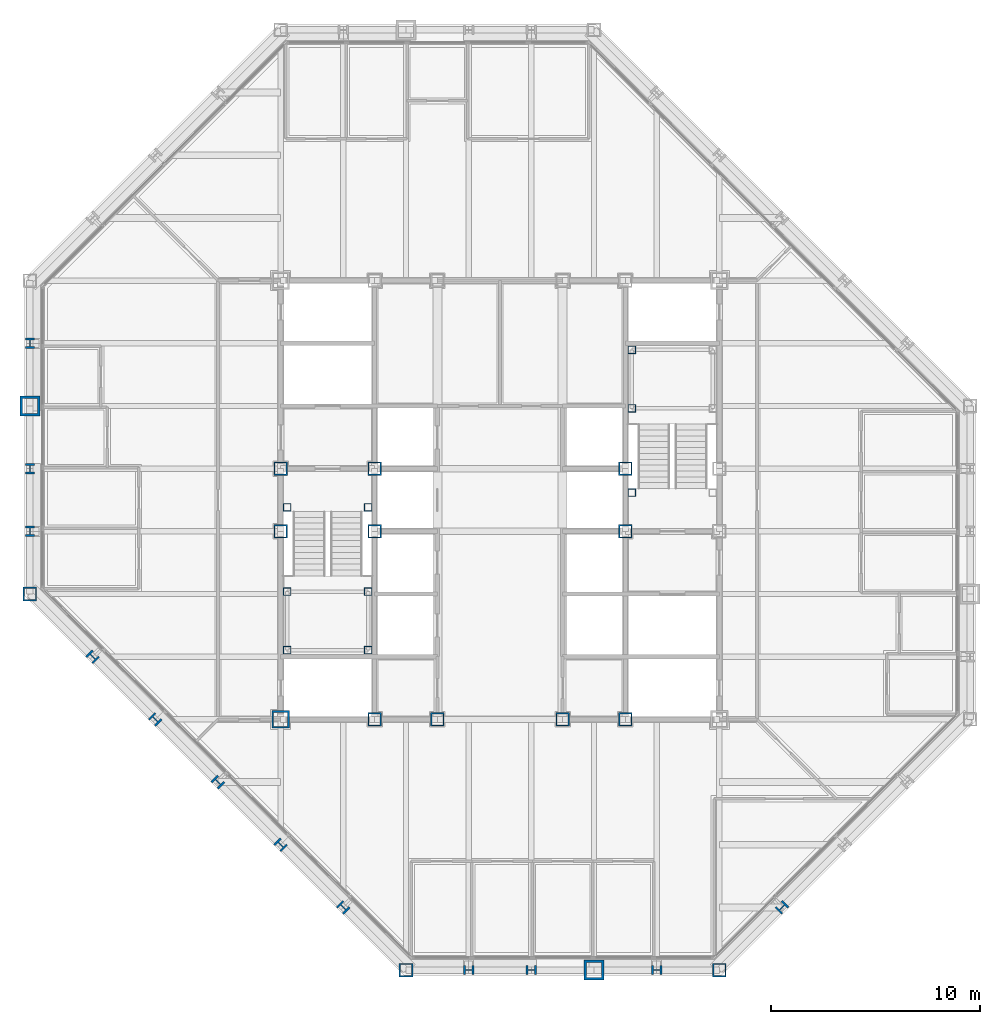
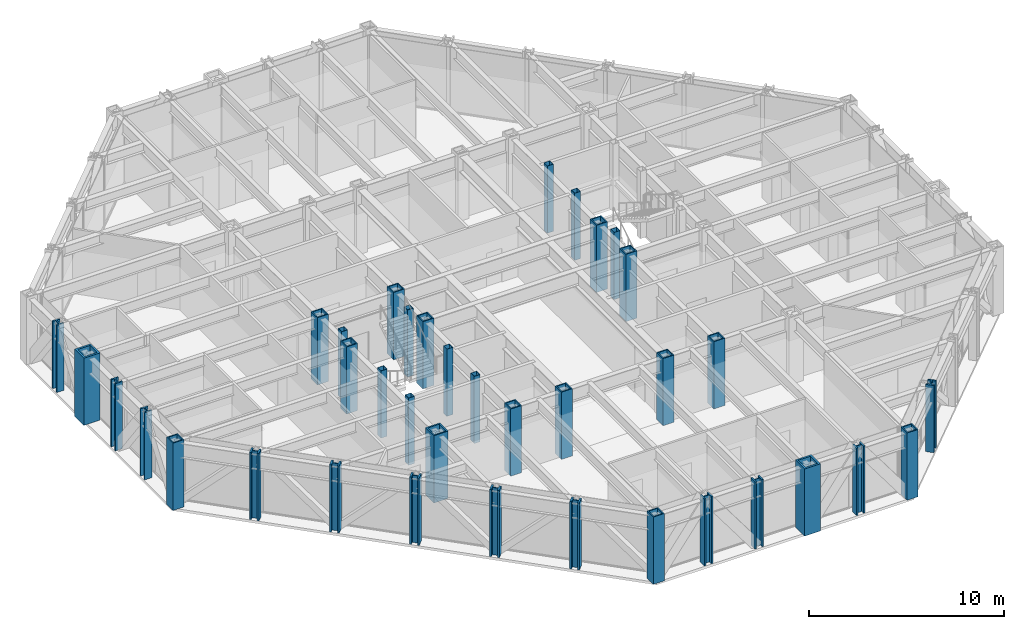
# One storey, part 1 of 15: 37 columns.
"""IFC4 building model written with IfcOpenShell, lengths in metres."""

from ifc_helpers import new_model, si_unit, direction, frame, origin, origin_2d, place, context, subcontext, project, spatial, hollow_rectangle, i_section, extrude, material, material_profile, profile_set, type_object, element, save


model = new_model("IFC4")

# Units and contexts
model_context = context("Model", 3, precision=1e-05, world=origin(), true_north=direction((0.0, 1.0)))
body_context = subcontext(model_context, "Body", "Model", "MODEL_VIEW")
ifc_project = project(units=[si_unit("LENGTHUNIT", "METRE"), si_unit("AREAUNIT", "SQUARE_METRE"), si_unit("VOLUMEUNIT", "CUBIC_METRE"), si_unit("PLANEANGLEUNIT", "RADIAN"), si_unit("MASSUNIT", "GRAM", prefix="KILO")], contexts=[model_context])

# Site, building, storey
site_placement = place(None, origin())
site = spatial("IfcSite", under=ifc_project, at=site_placement, CompositionType="ELEMENT")
building_placement = place(site_placement, origin())
building = spatial("IfcBuilding", under=site, at=building_placement, Name="Chuquiago Exchange Tower", CompositionType="ELEMENT")
storey_placement = place(building_placement, frame((0.0, 0.0, 184.5)))
storey = spatial("IfcBuildingStorey", under=building, at=storey_placement, Name="L40", CompositionType="ELEMENT", Elevation=184.5)

# Columns
ifc_material_1 = material(Name="Steel ASTM A992", Category="steel")
ifc_material_profile_1 = material_profile(ifc_material_1, i_section(OverallWidth=0.431884765625, OverallDepth=0.497802734375, WebThickness=0.0556640625, FlangeThickness=0.0888671875, at=origin_2d()), Name="W14X500")
ifc_profile_set_1 = profile_set([ifc_material_profile_1], Name="Steel ASTM A992")
column_type_1 = type_object("IfcColumnType", Name="C4 W14X500", PredefinedType="COLUMN", material=ifc_profile_set_1)
for number, where, z_axis, x_axis, name in (
    (1, (21.0, 0.0, 0.0), (0.0, 0.0, 1.0), (0.0, -1.0, 0.0), "COL-L40-21_0"),
    (2, (24.0, 0.0, 0.0), (0.0, 0.0, 1.0), (0.0, -1.0, 0.0), "COL-L40-24_0"),
    (3, (30.0, 0.0, 0.0), (0.0, 0.0, 1.0), (0.0, -1.0, 0.0), "COL-L40-30_0"),
    (4, (0.0, 30.0, 0.0), (0.0, 0.0, 1.0), (-1.0, 0.0, 0.0), "COL-L40-0_30"),
    (5, (0.0, 24.0, 0.0), (0.0, 0.0, 1.0), (-1.0, 0.0, 0.0), "COL-L40-0_24"),
    (6, (0.0, 21.0, 0.0), (0.0, 0.0, 1.0), (-1.0, 0.0, 0.0), "COL-L40-0_21"),
):
    element("IfcColumn", number, at=place(storey_placement, frame(where, z_axis=z_axis, x_axis=x_axis)), inside=storey, type_object=column_type_1, Name=name, PredefinedType="COLUMN", context=body_context, shape_type="SweptSolid", body=[
        extrude(i_section(OverallWidth=0.431884765625, OverallDepth=0.497802734375, WebThickness=0.0556640625, FlangeThickness=0.0888671875, at=origin_2d()), origin(), (0.0, 0.0, 1.0), 4.199951171875),
    ])
ifc_material_2 = material(Name="Steel ASTM A572 Grade 50", Category="steel")
ifc_material_profile_2 = material_profile(ifc_material_2, hollow_rectangle(XDim=0.64990234375, YDim=0.64990234375, WallThickness=0.06494140625, at=origin_2d()), Name="BOX650X650X65")
ifc_profile_set_2 = profile_set([ifc_material_profile_2], Name="Steel ASTM A572 Grade 50")
column_type_2 = type_object("IfcColumnType", Name="CC4 BOX650X650X65", PredefinedType="COLUMN", material=ifc_profile_set_2)
for number, where, z_axis, x_axis, name in (
    (7, (16.5, 12.0, 0.0), (0.0, 0.0, 1.0), (1.0, 0.0, 0.0), "CCOL-L40-16.5_12"),
    (8, (19.5, 12.0, 0.0), (0.0, 0.0, 1.0), (1.0, 0.0, 0.0), "CCOL-L40-19.5_12"),
    (9, (25.5, 12.0, 0.0), (0.0, 0.0, 1.0), (1.0, 0.0, 0.0), "CCOL-L40-25.5_12"),
    (10, (28.5, 12.0, 0.0), (0.0, 0.0, 1.0), (1.0, 0.0, 0.0), "CCOL-L40-28.5_12"),
    (11, (12.0, 21.0, 0.0), (0.0, 0.0, 1.0), (1.0, 0.0, 0.0), "CCOL-L40-12_21"),
    (12, (12.0, 24.0, 0.0), (0.0, 0.0, 1.0), (1.0, 0.0, 0.0), "CCOL-L40-12_24"),
    (13, (16.5, 21.0, 0.0), (0.0, 0.0, 1.0), (1.0, 0.0, 0.0), "CCOL-L40-16.5_21"),
    (14, (16.5, 24.0, 0.0), (0.0, 0.0, 1.0), (1.0, 0.0, 0.0), "CCOL-L40-16.5_24"),
    (15, (28.5, 21.0, 0.0), (0.0, 0.0, 1.0), (1.0, 0.0, 0.0), "CCOL-L40-28.5_21"),
    (16, (28.5, 24.0, 0.0), (0.0, 0.0, 1.0), (1.0, 0.0, 0.0), "CCOL-L40-28.5_24"),
):
    element("IfcColumn", number, at=place(storey_placement, frame(where, z_axis=z_axis, x_axis=x_axis)), inside=storey, type_object=column_type_2, Name=name, PredefinedType="COLUMN", context=body_context, shape_type="SweptSolid", body=[
        extrude(hollow_rectangle(XDim=0.64990234375, YDim=0.64990234375, WallThickness=0.06494140625, at=origin_2d()), origin(), (0.0, 0.0, 1.0), 4.199951171875),
    ])
ifc_material_3 = material(Name="Steel ASTM A572 Grade 50", Category="steel")
ifc_material_profile_3 = material_profile(ifc_material_3, hollow_rectangle(XDim=0.85009765625, YDim=0.85009765625, WallThickness=0.0849609375, at=origin_2d()), Name="BOX850X850X85")
ifc_profile_set_3 = profile_set([ifc_material_profile_3], Name="Steel ASTM A572 Grade 50")
column_type_3 = type_object("IfcColumnType", Name="CC6 BOX850X850X85", PredefinedType="COLUMN", material=ifc_profile_set_3)
column_placement = place(storey_placement, frame((12.0, 12.0, 0.0), z_axis=(0.0, 0.0, 1.0), x_axis=(1.0, 0.0, 0.0)))
element("IfcColumn", 17, at=column_placement, inside=storey, type_object=column_type_3, Name="CCOL-L40-12_12", PredefinedType="COLUMN", context=body_context, shape_type="SweptSolid", body=[
    extrude(hollow_rectangle(XDim=0.85009765625, YDim=0.85009765625, WallThickness=0.0849609375, at=origin_2d()), origin(), (0.0, 0.0, 1.0), 4.199951171875),
])
ifc_material_4 = material(Name="Steel ASTM A992", Category="steel")
ifc_material_profile_4 = material_profile(ifc_material_4, i_section(OverallWidth=0.436767578125, OverallDepth=0.51318359375, WebThickness=0.060546875, FlangeThickness=0.096923828125, at=origin_2d()), Name="W14X550")
ifc_profile_set_4 = profile_set([ifc_material_profile_4], Name="Steel ASTM A992")
column_type_4 = type_object("IfcColumnType", Name="CK4 W14X550", PredefinedType="COLUMN", material=ifc_profile_set_4)
for number, where, z_axis, x_axis, name in (
    (18, (36.0, 3.0, 0.0), (0.0, 0.0, 1.0), (0.707106781187, -0.707106781187, 0.0), "COL-L40-36_3"),
    (19, (3.0, 15.0, 0.0), (0.0, 0.0, 1.0), (-0.707106781187, -0.707106781187, 0.0), "COL-L40-3_15"),
    (20, (6.0, 12.0, 0.0), (0.0, 0.0, 1.0), (-0.707106781187, -0.707106781187, 0.0), "COL-L40-6_12"),
    (21, (9.0, 9.0, 0.0), (0.0, 0.0, 1.0), (-0.707106781187, -0.707106781187, 0.0), "COL-L40-9_9"),
    (22, (12.0, 6.0, 0.0), (0.0, 0.0, 1.0), (-0.707106781187, -0.707106781187, 0.0), "COL-L40-12_6"),
    (23, (15.0, 3.0, 0.0), (0.0, 0.0, 1.0), (-0.707106781187, -0.707106781187, 0.0), "COL-L40-15_3"),
):
    element("IfcColumn", number, at=place(storey_placement, frame(where, z_axis=z_axis, x_axis=x_axis)), inside=storey, type_object=column_type_4, Name=name, PredefinedType="COLUMN", context=body_context, shape_type="SweptSolid", body=[
        extrude(i_section(OverallWidth=0.436767578125, OverallDepth=0.51318359375, WebThickness=0.060546875, FlangeThickness=0.096923828125, at=origin_2d()), origin(), (0.0, 0.0, 1.0), 4.199951171875),
    ])
ifc_material_5 = material(Name="Steel ASTM A572 Grade 50", Category="steel")
ifc_material_profile_5 = material_profile(ifc_material_5, hollow_rectangle(XDim=0.64990234375, YDim=0.64990234375, WallThickness=0.06494140625, at=origin_2d()), Name="BOX650X650X65")
ifc_profile_set_5 = profile_set([ifc_material_profile_5], Name="Steel ASTM A572 Grade 50")
column_type_5 = type_object("IfcColumnType", Name="CN2 BOX650X650X65", PredefinedType="COLUMN", material=ifc_profile_set_5)
for number, where, z_axis, x_axis, name in (
    (24, (18.0, 0.0, 0.0), (0.0, 0.0, 1.0), (0.0, -1.0, 0.0), "COL-L40-18_0"),
    (25, (33.0, 0.0, 0.0), (0.0, 0.0, 1.0), (0.0, -1.0, 0.0), "COL-L40-33_0"),
    (26, (0.0, 18.0, 0.0), (0.0, 0.0, 1.0), (-1.0, 0.0, 0.0), "COL-L40-0_18"),
):
    element("IfcColumn", number, at=place(storey_placement, frame(where, z_axis=z_axis, x_axis=x_axis)), inside=storey, type_object=column_type_5, Name=name, PredefinedType="COLUMN", context=body_context, shape_type="SweptSolid", body=[
        extrude(hollow_rectangle(XDim=0.64990234375, YDim=0.64990234375, WallThickness=0.06494140625, at=origin_2d()), origin(), (0.0, 0.0, 1.0), 4.199951171875),
    ])
ifc_material_6 = material(Name="Steel ASTM A572 Grade 42", Category="steel")
ifc_material_profile_6 = material_profile(ifc_material_6, hollow_rectangle(XDim=0.949951171875, YDim=0.949951171875, WallThickness=0.110107421875, at=origin_2d()), Name="BOX950X950X110")
ifc_profile_set_6 = profile_set([ifc_material_profile_6], Name="Steel ASTM A572 Grade 42")
column_type_6 = type_object("IfcColumnType", Name="CT1 BOX950X950X110", PredefinedType="COLUMN", material=ifc_profile_set_6)
for number, where, z_axis, x_axis, name in (
    (27, (27.0, 0.0, 0.0), (0.0, 0.0, 1.0), (0.0, -1.0, 0.0), "COL-L40-27_0"),
    (28, (0.0, 27.0, 0.0), (0.0, 0.0, 1.0), (-1.0, 0.0, 0.0), "COL-L40-0_27"),
):
    element("IfcColumn", number, at=place(storey_placement, frame(where, z_axis=z_axis, x_axis=x_axis)), inside=storey, type_object=column_type_6, Name=name, PredefinedType="COLUMN", context=body_context, shape_type="SweptSolid", body=[
        extrude(hollow_rectangle(XDim=0.949951171875, YDim=0.949951171875, WallThickness=0.110107421875, at=origin_2d()), origin(), (0.0, 0.0, 1.0), 4.199951171875),
    ])
ifc_material_7 = material(Name="Steel ASTM A500 Grade C", Category="steel")
ifc_material_profile_7 = material_profile(ifc_material_7, hollow_rectangle(XDim=0.355712890625, YDim=0.355712890625, WallThickness=0.0146484375, at=origin_2d()), Name="HSS14X14X5/8")
ifc_profile_set_7 = profile_set([ifc_material_profile_7], Name="Steel ASTM A500 Grade C")
column_type_7 = type_object("IfcColumnType", Name="PT2 HSS14X14X5/8", PredefinedType="COLUMN", material=ifc_profile_set_7)
for number, where, z_axis, x_axis, name in (
    (29, (12.31005859375, 15.31005859375, 0.0), (0.0, 0.0, 1.0), (1.0, 0.0, 0.0), "Stair ST1 L40 landing post"),
    (30, (16.18994140625, 15.31005859375, 0.0), (0.0, 0.0, 1.0), (1.0, 0.0, 0.0), "Stair ST1 L40 landing post"),
    (31, (12.31005859375, 18.110107421875, 0.0), (0.0, 0.0, 1.0), (1.0, 0.0, 0.0), "Stair ST1 L40 landing post"),
    (32, (16.18994140625, 18.110107421875, 0.0), (0.0, 0.0, 1.0), (1.0, 0.0, 0.0), "Stair ST1 L40 landing post"),
    (33, (12.31005859375, 22.14990234375, 0.0), (0.0, 0.0, 1.0), (1.0, 0.0, 0.0), "Stair ST1 L40 landing post"),
    (34, (16.18994140625, 22.14990234375, 0.0), (0.0, 0.0, 1.0), (1.0, 0.0, 0.0), "Stair ST1 L40 landing post"),
    (35, (28.81005859375, 29.68994140625, 0.0), (0.0, 0.0, 1.0), (1.0, 0.0, 0.0), "Stair ST2 L40 landing post"),
    (36, (28.81005859375, 26.889892578125, 0.0), (0.0, 0.0, 1.0), (1.0, 0.0, 0.0), "Stair ST2 L40 landing post"),
    (37, (28.81005859375, 22.85009765625, 0.0), (0.0, 0.0, 1.0), (1.0, 0.0, 0.0), "Stair ST2 L40 landing post"),
):
    element("IfcColumn", number, at=place(storey_placement, frame(where, z_axis=z_axis, x_axis=x_axis)), inside=storey, type_object=column_type_7, Name=name, PredefinedType="COLUMN", context=body_context, shape_type="SweptSolid", body=[
        extrude(hollow_rectangle(XDim=0.355712890625, YDim=0.355712890625, WallThickness=0.0146484375, at=origin_2d()), origin(), (0.0, 0.0, 1.0), 4.199951171875),
    ])

save(model, "model.ifc")
